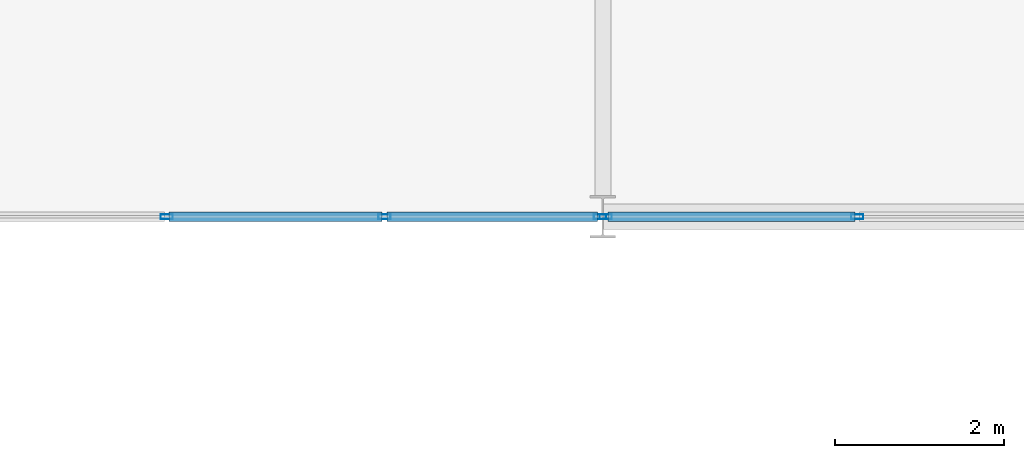
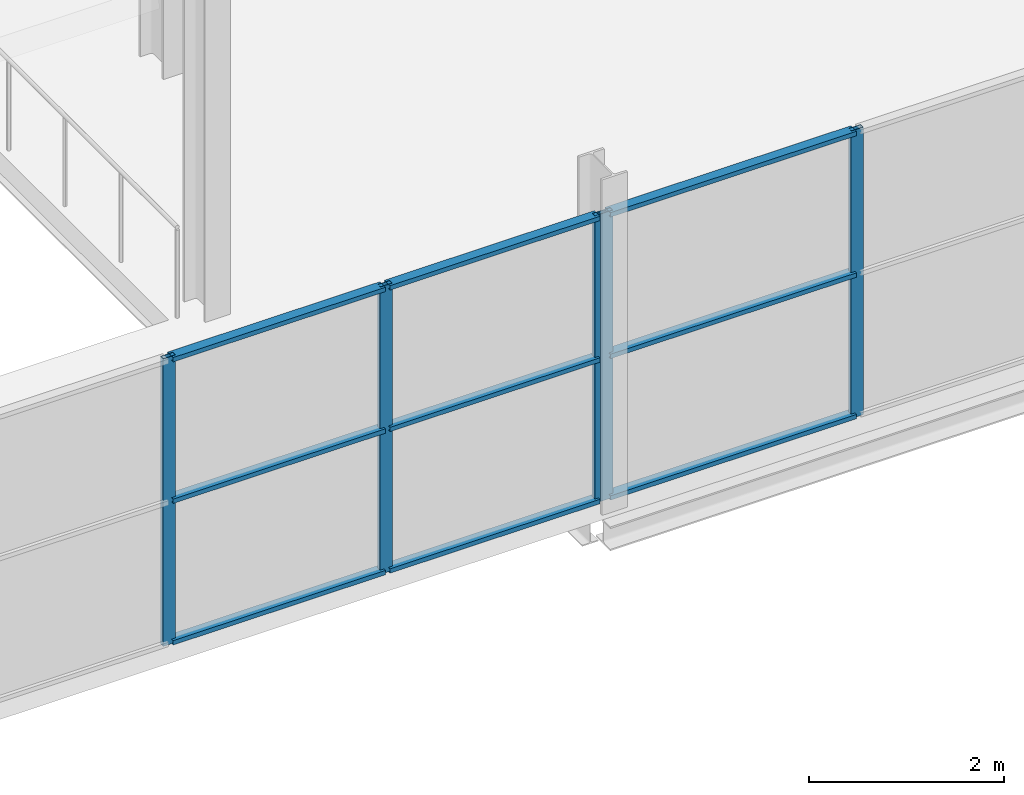
# One storey, part 63 of 140: 14 members, 2 elements without a shape of their own.
"""IFC4 building model written with IfcOpenShell, lengths in metres."""

from ifc_helpers import new_model, si_unit, direction, frame, origin, origin_2d, place, context, subcontext, project, spatial, hollow_rectangle, extrude, material, layer, layer_set, material_profile, profile_set, type_object, element, aggregate, save


model = new_model("IFC4")

# Units and contexts
model_context = context("Model", 3, precision=1e-05, world=origin(), true_north=direction((0.0, 1.0)))
body_context = subcontext(model_context, "Body", "Model", "MODEL_VIEW")
ifc_project = project(units=[si_unit("LENGTHUNIT", "METRE"), si_unit("AREAUNIT", "SQUARE_METRE"), si_unit("VOLUMEUNIT", "CUBIC_METRE"), si_unit("PLANEANGLEUNIT", "RADIAN"), si_unit("MASSUNIT", "GRAM", prefix="KILO")], contexts=[model_context])

# Site, building, storey
site_placement = place(None, origin())
site = spatial("IfcSite", under=ifc_project, at=site_placement, CompositionType="ELEMENT")
building_placement = place(site_placement, origin())
building = spatial("IfcBuilding", under=site, at=building_placement, Name="Deido Ridge Mobility Hub", CompositionType="ELEMENT")
storey_placement = place(building_placement, origin())
storey = spatial("IfcBuildingStorey", under=building, at=storey_placement, Name="L00", CompositionType="ELEMENT", Elevation=0.0)

# Curtain wall, members
ifc_material = material(Name="Anodised aluminium EN AW-6063 T6", Category="aluminium")
ifc_layer = layer(ifc_material, 0.14404296875, Name="Anodised aluminium EN AW-6063 T6")
ifc_layer_set = layer_set([ifc_layer], Name="Anodised aluminium EN AW-6063 T6")
curtain_wall_type = type_object("IfcCurtainWallType", Name="CW-GS-2", PredefinedType="USERDEFINED", material=ifc_layer_set)
curtain_wall_1_placement = place(storey_placement, origin())
curtain_wall_1 = element("IfcCurtainWall", 1, at=curtain_wall_1_placement, inside=storey, type_object=curtain_wall_type, Name="Unitised curtain wall GS2", ObjectType="GLAZED SCREEN", PredefinedType="USERDEFINED")
ifc_material_profile_1 = material_profile(ifc_material, hollow_rectangle(XDim=0.054931640625, YDim=0.14501953125, WallThickness=0.00390625, at=origin_2d()), Name="RHS 55x145x4")
ifc_profile_set_1 = profile_set([ifc_material_profile_1], Name="Anodised aluminium EN AW-6063 T6")
member_type_1 = type_object("IfcMemberType", Name="MEM-MUL-55X145", PredefinedType="MULLION", material=ifc_profile_set_1)
member_1_placement = place(storey_placement, frame((93.85400390625, 45.0, 0.0), z_axis=(0.0, 0.0, 1.0), x_axis=(0.0, 1.0, 0.0)))
member_1 = element("IfcMember", 2, at=member_1_placement, type_object=member_type_1, Name="GS2 mullion 6", PredefinedType="MULLION", context=body_context, shape_type="SweptSolid", body=[
    extrude(hollow_rectangle(XDim=0.054931640625, YDim=0.14501953125, WallThickness=0.00390625, at=origin_2d()), origin(), (0.0, 0.0, 1.0), 3.60009765625),
])
member_2_placement = place(storey_placement, frame((96.42333984375, 45.0, 0.0), z_axis=(0.0, 0.0, 1.0), x_axis=(0.0, 1.0, 0.0)))
member_2 = element("IfcMember", 3, at=member_2_placement, type_object=member_type_1, Name="GS2 mullion 7", PredefinedType="MULLION", context=body_context, shape_type="SweptSolid", body=[
    extrude(hollow_rectangle(XDim=0.054931640625, YDim=0.14501953125, WallThickness=0.00390625, at=origin_2d()), origin(), (0.0, 0.0, 1.0), 3.60009765625),
])
member_3_placement = place(storey_placement, frame((98.96533203125, 45.0, 0.0), z_axis=(0.0, 0.0, 1.0), x_axis=(0.0, 1.0, 0.0)))
member_3 = element("IfcMember", 4, at=member_3_placement, type_object=member_type_1, Name="GS2 mullion 8", PredefinedType="MULLION", context=body_context, shape_type="SweptSolid", body=[
    extrude(hollow_rectangle(XDim=0.054931640625, YDim=0.14501953125, WallThickness=0.00390625, at=origin_2d()), origin(), (0.0, 0.0, 1.0), 3.60009765625),
])

curtain_wall_2_placement = place(storey_placement, origin())
curtain_wall_2 = element("IfcCurtainWall", 5, at=curtain_wall_2_placement, inside=storey, type_object=curtain_wall_type, Name="Unitised curtain wall GS2", ObjectType="GLAZED SCREEN", PredefinedType="USERDEFINED")
member_4_placement = place(storey_placement, frame((99.03466796875, 45.0, 0.0), z_axis=(0.0, 0.0, 1.0), x_axis=(0.0, 1.0, 0.0)))
member_4 = element("IfcMember", 6, at=member_4_placement, type_object=member_type_1, Name="GS2 mullion 1", PredefinedType="MULLION", context=body_context, shape_type="SweptSolid", body=[
    extrude(hollow_rectangle(XDim=0.054931640625, YDim=0.14501953125, WallThickness=0.00390625, at=origin_2d()), origin(), (0.0, 0.0, 1.0), 3.60009765625),
])
member_5_placement = place(storey_placement, frame((102.00244140625, 45.0, 0.0), z_axis=(0.0, 0.0, 1.0), x_axis=(0.0, 1.0, 0.0)))
member_5 = element("IfcMember", 7, at=member_5_placement, type_object=member_type_1, Name="GS2 mullion 2", PredefinedType="MULLION", context=body_context, shape_type="SweptSolid", body=[
    extrude(hollow_rectangle(XDim=0.054931640625, YDim=0.14501953125, WallThickness=0.00390625, at=origin_2d()), origin(), (0.0, 0.0, 1.0), 3.60009765625),
])

# Member
ifc_material_profile_2 = material_profile(ifc_material, hollow_rectangle(XDim=0.114990234375, YDim=0.054931640625, WallThickness=0.00390625, at=origin_2d()), Name="RHS 115x55x4")
ifc_profile_set_2 = profile_set([ifc_material_profile_2], Name="Anodised aluminium EN AW-6063 T6")
member_type_2 = type_object("IfcMemberType", Name="MEM-TRN-115X55", PredefinedType="USERDEFINED", material=ifc_profile_set_2)
member_6_placement = place(storey_placement, frame((93.881591796875, 45.0, 0.027587890625), z_axis=(1.0, 0.0, 0.0), x_axis=(0.0, 1.0, 0.0)))
member_6 = element("IfcMember", 8, at=member_6_placement, type_object=member_type_2, Name="GS2 transom 6.1", ObjectType="TRANSOM", PredefinedType="USERDEFINED", context=body_context, shape_type="SweptSolid", body=[
    extrude(hollow_rectangle(XDim=0.114990234375, YDim=0.054931640625, WallThickness=0.00390625, at=origin_2d()), origin(), (0.0, 0.0, 1.0), 2.514404296875),
])

member_7_placement = place(storey_placement, frame((93.881591796875, 45.0, 1.800048828125), z_axis=(1.0, 0.0, 0.0), x_axis=(0.0, 1.0, 0.0)))
member_7 = element("IfcMember", 9, at=member_7_placement, type_object=member_type_2, Name="GS2 transom 6.2", ObjectType="TRANSOM", PredefinedType="USERDEFINED", context=body_context, shape_type="SweptSolid", body=[
    extrude(hollow_rectangle(XDim=0.114990234375, YDim=0.054931640625, WallThickness=0.00390625, at=origin_2d()), origin(), (0.0, 0.0, 1.0), 2.514404296875),
])

member_8_placement = place(storey_placement, frame((93.881591796875, 45.0, 3.572509765625), z_axis=(1.0, 0.0, 0.0), x_axis=(0.0, 1.0, 0.0)))
member_8 = element("IfcMember", 10, at=member_8_placement, type_object=member_type_2, Name="GS2 transom 6.3", ObjectType="TRANSOM", PredefinedType="USERDEFINED", context=body_context, shape_type="SweptSolid", body=[
    extrude(hollow_rectangle(XDim=0.114990234375, YDim=0.054931640625, WallThickness=0.00390625, at=origin_2d()), origin(), (0.0, 0.0, 1.0), 2.514404296875),
])

member_9_placement = place(storey_placement, frame((96.450927734375, 45.0, 0.027587890625), z_axis=(1.0, 0.0, 0.0), x_axis=(0.0, 1.0, 0.0)))
member_9 = element("IfcMember", 11, at=member_9_placement, type_object=member_type_2, Name="GS2 transom 7.1", ObjectType="TRANSOM", PredefinedType="USERDEFINED", context=body_context, shape_type="SweptSolid", body=[
    extrude(hollow_rectangle(XDim=0.114990234375, YDim=0.054931640625, WallThickness=0.00390625, at=origin_2d()), origin(), (0.0, 0.0, 1.0), 2.48681640625),
])

member_10_placement = place(storey_placement, frame((96.450927734375, 45.0, 1.800048828125), z_axis=(1.0, 0.0, 0.0), x_axis=(0.0, 1.0, 0.0)))
member_10 = element("IfcMember", 12, at=member_10_placement, type_object=member_type_2, Name="GS2 transom 7.2", ObjectType="TRANSOM", PredefinedType="USERDEFINED", context=body_context, shape_type="SweptSolid", body=[
    extrude(hollow_rectangle(XDim=0.114990234375, YDim=0.054931640625, WallThickness=0.00390625, at=origin_2d()), origin(), (0.0, 0.0, 1.0), 2.48681640625),
])

member_11_placement = place(storey_placement, frame((96.450927734375, 45.0, 3.572509765625), z_axis=(1.0, 0.0, 0.0), x_axis=(0.0, 1.0, 0.0)))
member_11 = element("IfcMember", 13, at=member_11_placement, type_object=member_type_2, Name="GS2 transom 7.3", ObjectType="TRANSOM", PredefinedType="USERDEFINED", context=body_context, shape_type="SweptSolid", body=[
    extrude(hollow_rectangle(XDim=0.114990234375, YDim=0.054931640625, WallThickness=0.00390625, at=origin_2d()), origin(), (0.0, 0.0, 1.0), 2.48681640625),
])

aggregate(curtain_wall_1, [member_1, member_2, member_3, member_6, member_7, member_8, member_9, member_10, member_11])

member_12_placement = place(storey_placement, frame((99.062255859375, 45.0, 0.027587890625), z_axis=(1.0, 0.0, 0.0), x_axis=(0.0, 1.0, 0.0)))
member_12 = element("IfcMember", 14, at=member_12_placement, type_object=member_type_2, Name="GS2 transom 1.1", ObjectType="TRANSOM", PredefinedType="USERDEFINED", context=body_context, shape_type="SweptSolid", body=[
    extrude(hollow_rectangle(XDim=0.114990234375, YDim=0.054931640625, WallThickness=0.00390625, at=origin_2d()), origin(), (0.0, 0.0, 1.0), 2.91259765625),
])

member_13_placement = place(storey_placement, frame((99.062255859375, 45.0, 1.800048828125), z_axis=(1.0, 0.0, 0.0), x_axis=(0.0, 1.0, 0.0)))
member_13 = element("IfcMember", 15, at=member_13_placement, type_object=member_type_2, Name="GS2 transom 1.2", ObjectType="TRANSOM", PredefinedType="USERDEFINED", context=body_context, shape_type="SweptSolid", body=[
    extrude(hollow_rectangle(XDim=0.114990234375, YDim=0.054931640625, WallThickness=0.00390625, at=origin_2d()), origin(), (0.0, 0.0, 1.0), 2.91259765625),
])

member_14_placement = place(storey_placement, frame((99.062255859375, 45.0, 3.572509765625), z_axis=(1.0, 0.0, 0.0), x_axis=(0.0, 1.0, 0.0)))
member_14 = element("IfcMember", 16, at=member_14_placement, type_object=member_type_2, Name="GS2 transom 1.3", ObjectType="TRANSOM", PredefinedType="USERDEFINED", context=body_context, shape_type="SweptSolid", body=[
    extrude(hollow_rectangle(XDim=0.114990234375, YDim=0.054931640625, WallThickness=0.00390625, at=origin_2d()), origin(), (0.0, 0.0, 1.0), 2.91259765625),
])

aggregate(curtain_wall_2, [member_4, member_5, member_12, member_13, member_14])

save(model, "model.ifc")
